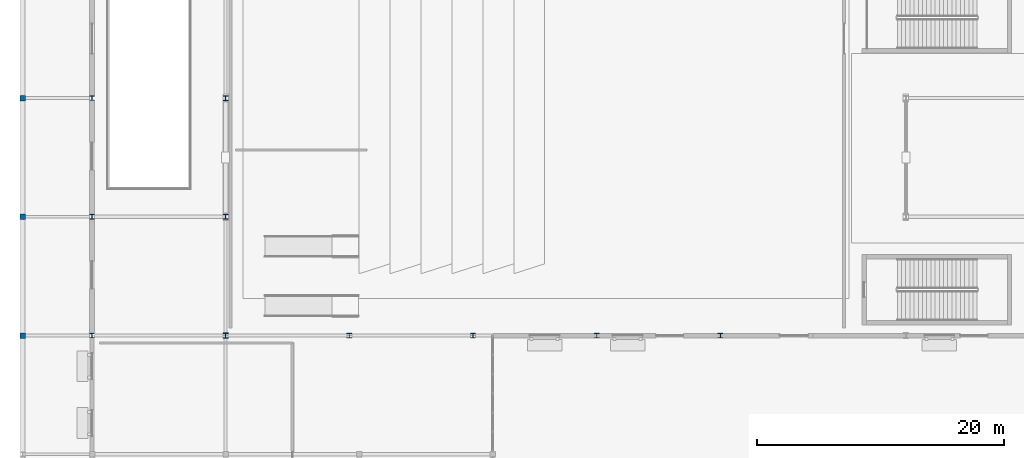
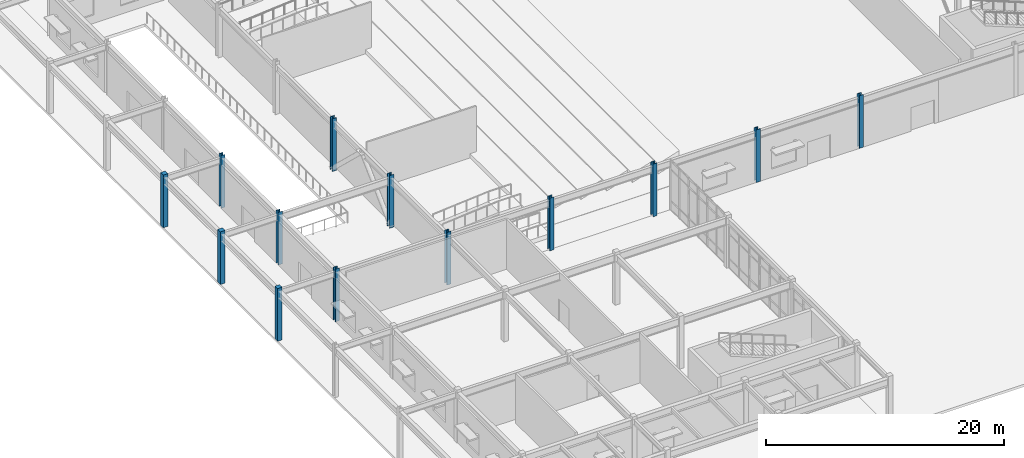
# One storey, part 3 of 54: 13 columns.
"""IFC4 building model written with IfcOpenShell, lengths in metres."""

import ifcopenshell
import ifcopenshell.guid

model = None  # the IFC model being written
_history = None  # IfcOwnerHistory: only IFC2X3 demands one
_inside = {}  # id of a spatial element -> (the spatial element, [elements in it])
_under = {}  # id of a project, library or spatial element -> (it, [spatial elements below it])
_declared = {}  # id of a project -> (the project, [libraries it declares])
_typed = {}  # id of a type object -> (the type object, [elements of that type])
_made_of = {}  # id of a material, layer set ... -> (it, [elements and type objects made of it])


def new_model(schema):
    """Start an empty IFC model of exactly this schema.

    Asked for "IFC4X3", IfcOpenShell would pick the latest addendum, in which some entities
    have other attributes; the version numbers below select the first issue.
    IFC2X3 requires an IfcOwnerHistory on every rooted entity: one is made here for all.
    """
    global model, _history
    if schema == "IFC4X3":
        model = ifcopenshell.file(schema_version=(4, 3, 0, 0))
    else:
        model = ifcopenshell.file(schema=schema)
    _inside.clear()
    _under.clear()
    _declared.clear()
    _typed.clear()
    _made_of.clear()
    _history = None
    if model.schema == "IFC2X3":
        org = make("IfcOrganization", Name="unknown")
        user = make(
            "IfcPersonAndOrganization",
            ThePerson=make("IfcPerson", FamilyName="unknown"),
            TheOrganization=org,
        )
        app = make(
            "IfcApplication",
            ApplicationDeveloper=org,
            Version="unknown",
            ApplicationFullName="unknown",
            ApplicationIdentifier="unknown",
        )
        _history = make(
            "IfcOwnerHistory",
            OwningUser=user,
            OwningApplication=app,
            ChangeAction="ADDED",
            CreationDate=0,
        )
    return model


def make(cls, **values):
    """One entity of the class cls with the attributes given. An attribute that is None is left unset."""
    return model.create_entity(
        cls, **{name: value for name, value in values.items() if value is not None}
    )


def rooted(cls, **values):
    """An entity with a GlobalId (a new one), such as an element, a storey or a relation."""
    return make(cls, GlobalId=ifcopenshell.guid.new(), OwnerHistory=_history, **values)


def si_unit(unit_type, name, prefix=None):
    """IfcSIUnit, for example si_unit("LENGTHUNIT", "METRE", prefix="MILLI")."""
    return make("IfcSIUnit", UnitType=unit_type, Prefix=prefix, Name=name)


def assignment(units):
    """IfcUnitAssignment: the units of a project."""
    return None if units is None else make("IfcUnitAssignment", Units=units)


def point(xyz):
    """IfcCartesianPoint."""
    return None if xyz is None else make("IfcCartesianPoint", Coordinates=xyz)


def direction(xyz):
    """IfcDirection."""
    return None if xyz is None else make("IfcDirection", DirectionRatios=xyz)


def frame(location, z_axis=None, x_axis=None):
    """IfcAxis2Placement3D, a coordinate frame: its origin and axes. An axis left out is left unset."""
    return make(
        "IfcAxis2Placement3D",
        Location=point(location),
        Axis=direction(z_axis),
        RefDirection=direction(x_axis),
    )


def frame_2d(location, x_axis=None):
    """IfcAxis2Placement2D, a coordinate frame in the plane: its origin and x axis."""
    return make(
        "IfcAxis2Placement2D", Location=point(location), RefDirection=direction(x_axis)
    )


def origin():
    """The frame at (0, 0, 0) with its axes left unset."""
    return frame((0.0, 0.0, 0.0))


def origin_2d():
    """The frame at (0, 0) in the plane with its x axis left unset."""
    return frame_2d((0.0, 0.0))


def place(relative_to, where):
    """IfcLocalPlacement: puts the frame where relative to a parent placement (None: the world)."""
    return make(
        "IfcLocalPlacement", PlacementRelTo=relative_to, RelativePlacement=where
    )


def context(
    kind, dimensions, precision=None, world=None, true_north=None, identifier=None
):
    """IfcGeometricRepresentationContext, for example the 3D "Model" context."""
    return make(
        "IfcGeometricRepresentationContext",
        ContextIdentifier=identifier,
        ContextType=kind,
        CoordinateSpaceDimension=dimensions,
        Precision=precision,
        WorldCoordinateSystem=world,
        TrueNorth=true_north,
    )


def subcontext(parent, identifier, kind, view, scale=None):
    """IfcGeometricRepresentationSubContext, for example "Body" below "Model"."""
    return make(
        "IfcGeometricRepresentationSubContext",
        ContextIdentifier=identifier,
        ContextType=kind,
        ParentContext=parent,
        TargetScale=scale,
        TargetView=view,
    )


def project(units=None, contexts=None):
    """IfcProject with its units and contexts."""
    return rooted(
        "IfcProject",
        Name="project",
        RepresentationContexts=contexts,
        UnitsInContext=assignment(units),
    )


def spatial(cls, under=None, at=None, **own):
    """A site, building, storey or space (cls), placed at a placement, below another one or the project."""
    s = rooted(cls, ObjectPlacement=at, **own)
    if under is not None:
        _under.setdefault(under.id(), (under, []))[1].append(s)
    return s


def profile(cls, at=None, kind="AREA", **sizes):
    """A parametric profile (cls). Its sizes go by their IFC names, for example OverallWidth=200.0."""
    return make(cls, ProfileType=kind, Position=at, **sizes)


def rectangle(**sizes):
    """IfcRectangleProfileDef."""
    return profile("IfcRectangleProfileDef", **sizes)


def i_section(**sizes):
    """IfcIShapeProfileDef."""
    return profile("IfcIShapeProfileDef", **sizes)


def extrude(swept, where, along, depth):
    """IfcExtrudedAreaSolid: the profile swept, set in the frame where, extruded along a direction by depth."""
    return make(
        "IfcExtrudedAreaSolid",
        SweptArea=swept,
        Position=where,
        ExtrudedDirection=direction(along),
        Depth=depth,
    )


def shape(context_of_items, identifier, shape_type, items):
    """IfcShapeRepresentation: the items that make up one representation, for example the "Body"."""
    return make(
        "IfcShapeRepresentation",
        ContextOfItems=context_of_items,
        RepresentationIdentifier=identifier,
        RepresentationType=shape_type,
        Items=items,
    )


def material(Name=None, Category=None):
    """IfcMaterial."""
    return make("IfcMaterial", Name=Name, Category=Category)


def material_profile(
    of_material, cross_section, Name=None, Category=None, Priority=None
):
    """IfcMaterialProfile: a cross section and its material."""
    return make(
        "IfcMaterialProfile",
        Name=Name,
        Material=of_material,
        Profile=cross_section,
        Priority=Priority,
        Category=Category,
    )


def profile_set(profiles, Name=None, composite=None):
    """IfcMaterialProfileSet."""
    return make(
        "IfcMaterialProfileSet",
        Name=Name,
        MaterialProfiles=profiles,
        CompositeProfile=composite,
    )


def made_of(thing, what):
    """Note that an element or type object is made of a material, layer set ...; save() writes the relation."""
    if what is not None:
        _made_of.setdefault(what.id(), (what, []))[1].append(thing)
    return thing


def type_object(cls, material=None, **own):
    """A type object (cls), such as IfcWallType, which elements share."""
    return made_of(rooted(cls, **own), material)


def element(
    cls,
    number,
    at=None,
    inside=None,
    cuts=None,
    type_object=None,
    material=None,
    context=None,
    identifier="Body",
    shape_type=None,
    held_by="IfcProductDefinitionShape",
    body=None,
    shapes=None,
    **own,
):
    """One element of the class cls, such as IfcWall. Its Tag is "e" and its number.

    at: its placement. inside: the storey or other place that contains it. cuts: it is an
    opening in that element (IfcRelVoidsElement). A single representation is given by context,
    identifier, shape_type and body (its items); several are given by shapes. held_by: the class
    of the entity that holds the representations. save() writes the other relations.
    """
    e = rooted(cls, Tag="e%d" % number, ObjectPlacement=at, **own)
    if body is not None:
        shapes = [shape(context, identifier, shape_type, body)]
    if shapes is not None:
        e.Representation = make(held_by, Representations=shapes)
    if inside is not None:
        _inside.setdefault(inside.id(), (inside, []))[1].append(e)
    if cuts is not None:
        rooted(
            "IfcRelVoidsElement", RelatingBuildingElement=cuts, RelatedOpeningElement=e
        )
    if type_object is not None:
        _typed.setdefault(type_object.id(), (type_object, []))[1].append(e)
    return made_of(e, material)


def aggregate(whole, parts):
    """IfcRelAggregates: a whole, such as a stair, and the parts it consists of."""
    return rooted("IfcRelAggregates", RelatingObject=whole, RelatedObjects=parts)


def save(model, path):
    """Write the relations noted so far, then the file.

    IfcRelAggregates (storeys below a building ...), IfcRelContainedInSpatialStructure (elements
    in a storey), IfcRelDefinesByType, IfcRelAssociatesMaterial and IfcRelDeclares: one each for
    every whole, place, type object, material and project.
    """
    for whole, parts in _under.values():
        aggregate(whole, parts)
    for where, things in _inside.values():
        rooted(
            "IfcRelContainedInSpatialStructure",
            RelatedElements=things,
            RelatingStructure=where,
        )
    for kind, things in _typed.values():
        rooted("IfcRelDefinesByType", RelatedObjects=things, RelatingType=kind)
    for what, things in _made_of.values():
        rooted("IfcRelAssociatesMaterial", RelatedObjects=things, RelatingMaterial=what)
    for by, libraries in _declared.values():
        rooted("IfcRelDeclares", RelatingContext=by, RelatedDefinitions=libraries)
    model.write(path)


model = new_model("IFC4")

# Units and contexts
model_context = context("Model", 3, precision=1e-05, world=origin(), true_north=direction((0.0, 1.0)))
body_context = subcontext(model_context, "Body", "Model", "MODEL_VIEW")
ifc_project = project(units=[si_unit("LENGTHUNIT", "METRE"), si_unit("AREAUNIT", "SQUARE_METRE"), si_unit("VOLUMEUNIT", "CUBIC_METRE"), si_unit("PLANEANGLEUNIT", "RADIAN"), si_unit("MASSUNIT", "GRAM", prefix="KILO")], contexts=[model_context])

# Site, building, storey
site_placement = place(None, origin())
site = spatial("IfcSite", under=ifc_project, at=site_placement, CompositionType="ELEMENT")
building_placement = place(site_placement, origin())
building = spatial("IfcBuilding", under=site, at=building_placement, Name="Veldera Park Congress Hotel", CompositionType="ELEMENT")
storey_placement = place(building_placement, origin())
storey = spatial("IfcBuildingStorey", under=building, at=storey_placement, Name="L00", CompositionType="ELEMENT", Elevation=0.0)

# Columns
ifc_material_1 = material(Name="Glulam GL28h (NDS 24F-V4)", Category="wood")
ifc_material_profile_1 = material_profile(ifc_material_1, rectangle(XDim=0.449951171875, YDim=0.449951171875, at=origin_2d()), Name="GL28h 450x450")
ifc_profile_set_1 = profile_set([ifc_material_profile_1], Name="Glulam GL28h (NDS 24F-V4)")
column_type_1 = type_object("IfcColumnType", Name="COL-GL42E", PredefinedType="COLUMN", material=ifc_profile_set_1)
for number, where, z_axis, x_axis, name in (
    (1, (-83.800048828125, -21.0, 0.0), (0.0, 0.0, 1.0), (1.0, 0.0, 0.0), "L00 Column COL-GL42E (-83.8,-21.0)"),
    (2, (-83.800048828125, -11.39990234375, 0.0), (0.0, 0.0, 1.0), (1.0, 0.0, 0.0), "L00 Column COL-GL42E (-83.8,-11.4)"),
    (3, (-83.800048828125, -1.800048828125, 0.0), (0.0, 0.0, 1.0), (1.0, 0.0, 0.0), "L00 Column COL-GL42E (-83.8,-1.8)"),
):
    element("IfcColumn", number, at=place(storey_placement, frame(where, z_axis=z_axis, x_axis=x_axis)), inside=storey, type_object=column_type_1, Name=name, PredefinedType="COLUMN", context=body_context, shape_type="SweptSolid", body=[
        extrude(rectangle(XDim=0.449951171875, YDim=0.449951171875, at=origin_2d()), origin(), (0.0, 0.0, 1.0), 5.39990234375),
    ])
ifc_material_2 = material(Name="Steel ASTM A992 Gr.50", Category="steel")
ifc_material_profile_2 = material_profile(ifc_material_2, i_section(OverallWidth=0.39599609375, OverallDepth=0.381103515625, WebThickness=0.018798828125, FlangeThickness=0.0302734375, at=origin_2d()), Name="W14X159")
ifc_profile_set_2 = profile_set([ifc_material_profile_2], Name="Steel ASTM A992 Gr.50")
column_type_2 = type_object("IfcColumnType", Name="COL-STL159E", PredefinedType="COLUMN", material=ifc_profile_set_2)
for number, where, z_axis, x_axis, name in (
    (4, (-78.199951171875, -21.0, 0.0), (0.0, 0.0, 1.0), (1.0, 0.0, 0.0), "L00 Column COL-STL159E (-78.2,-21.0)"),
    (5, (-78.199951171875, -11.39990234375, 0.0), (0.0, 0.0, 1.0), (1.0, 0.0, 0.0), "L00 Column COL-STL159E (-78.2,-11.4)"),
    (6, (-78.199951171875, -1.800048828125, 0.0), (0.0, 0.0, 1.0), (1.0, 0.0, 0.0), "L00 Column COL-STL159E (-78.2,-1.8)"),
):
    element("IfcColumn", number, at=place(storey_placement, frame(where, z_axis=z_axis, x_axis=x_axis)), inside=storey, type_object=column_type_2, Name=name, PredefinedType="COLUMN", context=body_context, shape_type="SweptSolid", body=[
        extrude(i_section(OverallWidth=0.39599609375, OverallDepth=0.381103515625, WebThickness=0.018798828125, FlangeThickness=0.0302734375, at=origin_2d()), origin(), (0.0, 0.0, 1.0), 5.39990234375),
    ])
ifc_material_profile_3 = material_profile(ifc_material_2, i_section(OverallWidth=0.39892578125, OverallDepth=0.39306640625, WebThickness=0.022705078125, FlangeThickness=0.03662109375, at=origin_2d()), Name="W14X193")
ifc_profile_set_3 = profile_set([ifc_material_profile_3], Name="Steel ASTM A992 Gr.50")
column_type_3 = type_object("IfcColumnType", Name="COL-STL176E", PredefinedType="COLUMN", material=ifc_profile_set_3)
for number, where, z_axis, x_axis, name in (
    (7, (-57.39990234375, -21.0, 0.0), (0.0, 0.0, 1.0), (1.0, 0.0, 0.0), "L00 Column COL-STL176E (-57.4,-21.0)"),
    (8, (-47.39990234375, -21.0, 0.0), (0.0, 0.0, 1.0), (1.0, 0.0, 0.0), "L00 Column COL-STL176E (-47.4,-21.0)"),
    (9, (-37.39990234375, -21.0, 0.0), (0.0, 0.0, 1.0), (1.0, 0.0, 0.0), "L00 Column COL-STL176E (-37.4,-21.0)"),
    (10, (-27.39990234375, -21.0, 0.0), (0.0, 0.0, 1.0), (1.0, 0.0, 0.0), "L00 Column COL-STL176E (-27.4,-21.0)"),
):
    element("IfcColumn", number, at=place(storey_placement, frame(where, z_axis=z_axis, x_axis=x_axis)), inside=storey, type_object=column_type_3, Name=name, PredefinedType="COLUMN", context=body_context, shape_type="SweptSolid", body=[
        extrude(i_section(OverallWidth=0.39892578125, OverallDepth=0.39306640625, WebThickness=0.022705078125, FlangeThickness=0.03662109375, at=origin_2d()), origin(), (0.0, 0.0, 1.0), 5.39990234375),
    ])
ifc_material_profile_4 = material_profile(ifc_material_2, i_section(OverallWidth=0.404052734375, OverallDepth=0.406982421875, WebThickness=0.027099609375, FlangeThickness=0.043701171875, at=origin_2d()), Name="W14X233")
ifc_profile_set_4 = profile_set([ifc_material_profile_4], Name="Steel ASTM A992 Gr.50")
column_type_4 = type_object("IfcColumnType", Name="COL-STL233", PredefinedType="COLUMN", material=ifc_profile_set_4)
for number, where, z_axis, x_axis, name in (
    (11, (-67.39990234375, -11.39990234375, 0.0), (0.0, 0.0, 1.0), (1.0, 0.0, 0.0), "L00 Column COL-STL233 (-67.4,-11.4)"),
    (12, (-67.39990234375, -1.800048828125, 0.0), (0.0, 0.0, 1.0), (1.0, 0.0, 0.0), "L00 Column COL-STL233 (-67.4,-1.8)"),
):
    element("IfcColumn", number, at=place(storey_placement, frame(where, z_axis=z_axis, x_axis=x_axis)), inside=storey, type_object=column_type_4, Name=name, PredefinedType="COLUMN", context=body_context, shape_type="SweptSolid", body=[
        extrude(i_section(OverallWidth=0.404052734375, OverallDepth=0.406982421875, WebThickness=0.027099609375, FlangeThickness=0.043701171875, at=origin_2d()), origin(), (0.0, 0.0, 1.0), 5.39990234375),
    ])
ifc_material_profile_5 = material_profile(ifc_material_2, i_section(OverallWidth=0.406005859375, OverallDepth=0.416015625, WebThickness=0.02978515625, FlangeThickness=0.048095703125, at=origin_2d()), Name="W14X257")
ifc_profile_set_5 = profile_set([ifc_material_profile_5], Name="Steel ASTM A992 Gr.50")
column_type_5 = type_object("IfcColumnType", Name="COL-STL233E", PredefinedType="COLUMN", material=ifc_profile_set_5)
column_placement = place(storey_placement, frame((-67.39990234375, -21.0, 0.0), z_axis=(0.0, 0.0, 1.0), x_axis=(1.0, 0.0, 0.0)))
element("IfcColumn", 13, at=column_placement, inside=storey, type_object=column_type_5, Name="L00 Column COL-STL233E (-67.4,-21.0)", PredefinedType="COLUMN", context=body_context, shape_type="SweptSolid", body=[
    extrude(i_section(OverallWidth=0.406005859375, OverallDepth=0.416015625, WebThickness=0.02978515625, FlangeThickness=0.048095703125, at=origin_2d()), origin(), (0.0, 0.0, 1.0), 5.39990234375),
])

save(model, "model.ifc")
